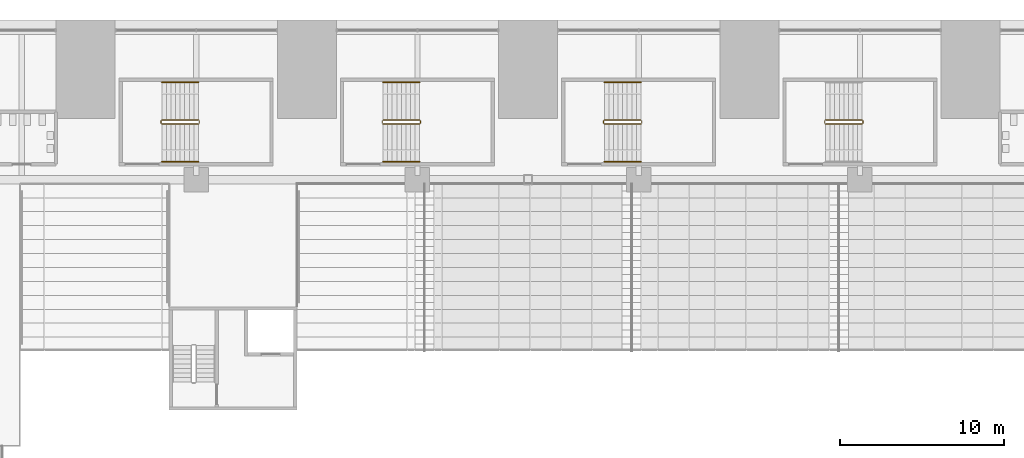
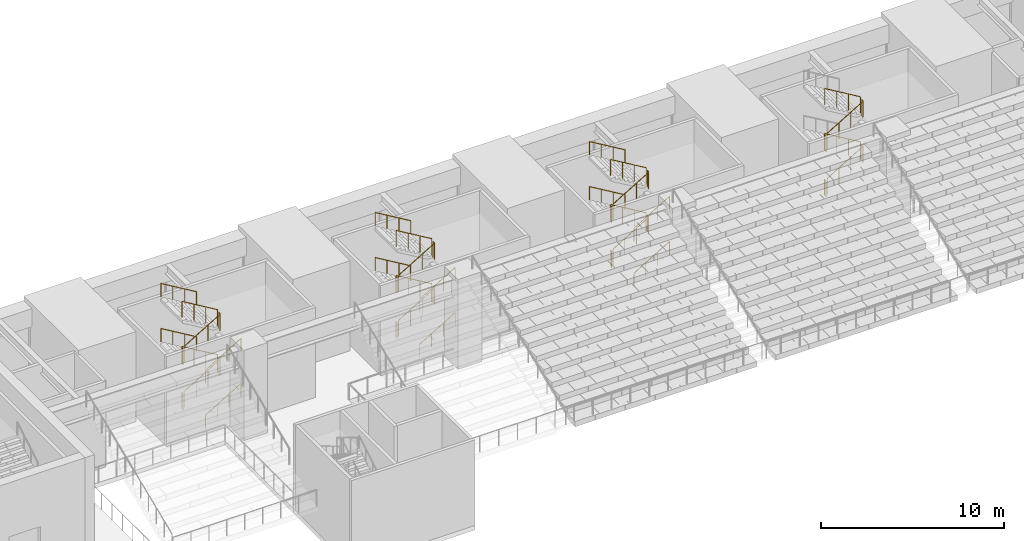
# One storey, part 59 of 61: 7 railings.
"""IFC4 building model written with IfcOpenShell, lengths in metres."""

import ifcopenshell
import ifcopenshell.guid

model = None  # the IFC model being written
_history = None  # IfcOwnerHistory: only IFC2X3 demands one
_inside = {}  # id of a spatial element -> (the spatial element, [elements in it])
_under = {}  # id of a project, library or spatial element -> (it, [spatial elements below it])
_declared = {}  # id of a project -> (the project, [libraries it declares])
_typed = {}  # id of a type object -> (the type object, [elements of that type])
_made_of = {}  # id of a material, layer set ... -> (it, [elements and type objects made of it])


def new_model(schema):
    """Start an empty IFC model of exactly this schema.

    Asked for "IFC4X3", IfcOpenShell would pick the latest addendum, in which some entities
    have other attributes; the version numbers below select the first issue.
    IFC2X3 requires an IfcOwnerHistory on every rooted entity: one is made here for all.
    """
    global model, _history
    if schema == "IFC4X3":
        model = ifcopenshell.file(schema_version=(4, 3, 0, 0))
    else:
        model = ifcopenshell.file(schema=schema)
    _inside.clear()
    _under.clear()
    _declared.clear()
    _typed.clear()
    _made_of.clear()
    _history = None
    if model.schema == "IFC2X3":
        org = make("IfcOrganization", Name="unknown")
        user = make(
            "IfcPersonAndOrganization",
            ThePerson=make("IfcPerson", FamilyName="unknown"),
            TheOrganization=org,
        )
        app = make(
            "IfcApplication",
            ApplicationDeveloper=org,
            Version="unknown",
            ApplicationFullName="unknown",
            ApplicationIdentifier="unknown",
        )
        _history = make(
            "IfcOwnerHistory",
            OwningUser=user,
            OwningApplication=app,
            ChangeAction="ADDED",
            CreationDate=0,
        )
    return model


def make(cls, **values):
    """One entity of the class cls with the attributes given. An attribute that is None is left unset."""
    return model.create_entity(
        cls, **{name: value for name, value in values.items() if value is not None}
    )


def rooted(cls, **values):
    """An entity with a GlobalId (a new one), such as an element, a storey or a relation."""
    return make(cls, GlobalId=ifcopenshell.guid.new(), OwnerHistory=_history, **values)


def si_unit(unit_type, name, prefix=None):
    """IfcSIUnit, for example si_unit("LENGTHUNIT", "METRE", prefix="MILLI")."""
    return make("IfcSIUnit", UnitType=unit_type, Prefix=prefix, Name=name)


def assignment(units):
    """IfcUnitAssignment: the units of a project."""
    return None if units is None else make("IfcUnitAssignment", Units=units)


def point(xyz):
    """IfcCartesianPoint."""
    return None if xyz is None else make("IfcCartesianPoint", Coordinates=xyz)


def direction(xyz):
    """IfcDirection."""
    return None if xyz is None else make("IfcDirection", DirectionRatios=xyz)


def frame(location, z_axis=None, x_axis=None):
    """IfcAxis2Placement3D, a coordinate frame: its origin and axes. An axis left out is left unset."""
    return make(
        "IfcAxis2Placement3D",
        Location=point(location),
        Axis=direction(z_axis),
        RefDirection=direction(x_axis),
    )


def frame_2d(location, x_axis=None):
    """IfcAxis2Placement2D, a coordinate frame in the plane: its origin and x axis."""
    return make(
        "IfcAxis2Placement2D", Location=point(location), RefDirection=direction(x_axis)
    )


def origin():
    """The frame at (0, 0, 0) with its axes left unset."""
    return frame((0.0, 0.0, 0.0))


def origin_2d():
    """The frame at (0, 0) in the plane with its x axis left unset."""
    return frame_2d((0.0, 0.0))


def place(relative_to, where):
    """IfcLocalPlacement: puts the frame where relative to a parent placement (None: the world)."""
    return make(
        "IfcLocalPlacement", PlacementRelTo=relative_to, RelativePlacement=where
    )


def context(
    kind, dimensions, precision=None, world=None, true_north=None, identifier=None
):
    """IfcGeometricRepresentationContext, for example the 3D "Model" context."""
    return make(
        "IfcGeometricRepresentationContext",
        ContextIdentifier=identifier,
        ContextType=kind,
        CoordinateSpaceDimension=dimensions,
        Precision=precision,
        WorldCoordinateSystem=world,
        TrueNorth=true_north,
    )


def subcontext(parent, identifier, kind, view, scale=None):
    """IfcGeometricRepresentationSubContext, for example "Body" below "Model"."""
    return make(
        "IfcGeometricRepresentationSubContext",
        ContextIdentifier=identifier,
        ContextType=kind,
        ParentContext=parent,
        TargetScale=scale,
        TargetView=view,
    )


def project(units=None, contexts=None):
    """IfcProject with its units and contexts."""
    return rooted(
        "IfcProject",
        Name="project",
        RepresentationContexts=contexts,
        UnitsInContext=assignment(units),
    )


def spatial(cls, under=None, at=None, **own):
    """A site, building, storey or space (cls), placed at a placement, below another one or the project."""
    s = rooted(cls, ObjectPlacement=at, **own)
    if under is not None:
        _under.setdefault(under.id(), (under, []))[1].append(s)
    return s


def profile(cls, at=None, kind="AREA", **sizes):
    """A parametric profile (cls). Its sizes go by their IFC names, for example OverallWidth=200.0."""
    return make(cls, ProfileType=kind, Position=at, **sizes)


def circle(**sizes):
    """IfcCircleProfileDef."""
    return profile("IfcCircleProfileDef", **sizes)


def extrude(swept, where, along, depth):
    """IfcExtrudedAreaSolid: the profile swept, set in the frame where, extruded along a direction by depth."""
    return make(
        "IfcExtrudedAreaSolid",
        SweptArea=swept,
        Position=where,
        ExtrudedDirection=direction(along),
        Depth=depth,
    )


def shape(context_of_items, identifier, shape_type, items):
    """IfcShapeRepresentation: the items that make up one representation, for example the "Body"."""
    return make(
        "IfcShapeRepresentation",
        ContextOfItems=context_of_items,
        RepresentationIdentifier=identifier,
        RepresentationType=shape_type,
        Items=items,
    )


def material(Name=None, Category=None):
    """IfcMaterial."""
    return make("IfcMaterial", Name=Name, Category=Category)


def made_of(thing, what):
    """Note that an element or type object is made of a material, layer set ...; save() writes the relation."""
    if what is not None:
        _made_of.setdefault(what.id(), (what, []))[1].append(thing)
    return thing


def type_object(cls, material=None, **own):
    """A type object (cls), such as IfcWallType, which elements share."""
    return made_of(rooted(cls, **own), material)


def element(
    cls,
    number,
    at=None,
    inside=None,
    cuts=None,
    type_object=None,
    material=None,
    context=None,
    identifier="Body",
    shape_type=None,
    held_by="IfcProductDefinitionShape",
    body=None,
    shapes=None,
    **own,
):
    """One element of the class cls, such as IfcWall. Its Tag is "e" and its number.

    at: its placement. inside: the storey or other place that contains it. cuts: it is an
    opening in that element (IfcRelVoidsElement). A single representation is given by context,
    identifier, shape_type and body (its items); several are given by shapes. held_by: the class
    of the entity that holds the representations. save() writes the other relations.
    """
    e = rooted(cls, Tag="e%d" % number, ObjectPlacement=at, **own)
    if body is not None:
        shapes = [shape(context, identifier, shape_type, body)]
    if shapes is not None:
        e.Representation = make(held_by, Representations=shapes)
    if inside is not None:
        _inside.setdefault(inside.id(), (inside, []))[1].append(e)
    if cuts is not None:
        rooted(
            "IfcRelVoidsElement", RelatingBuildingElement=cuts, RelatedOpeningElement=e
        )
    if type_object is not None:
        _typed.setdefault(type_object.id(), (type_object, []))[1].append(e)
    return made_of(e, material)


def aggregate(whole, parts):
    """IfcRelAggregates: a whole, such as a stair, and the parts it consists of."""
    return rooted("IfcRelAggregates", RelatingObject=whole, RelatedObjects=parts)


def save(model, path):
    """Write the relations noted so far, then the file.

    IfcRelAggregates (storeys below a building ...), IfcRelContainedInSpatialStructure (elements
    in a storey), IfcRelDefinesByType, IfcRelAssociatesMaterial and IfcRelDeclares: one each for
    every whole, place, type object, material and project.
    """
    for whole, parts in _under.values():
        aggregate(whole, parts)
    for where, things in _inside.values():
        rooted(
            "IfcRelContainedInSpatialStructure",
            RelatedElements=things,
            RelatingStructure=where,
        )
    for kind, things in _typed.values():
        rooted("IfcRelDefinesByType", RelatedObjects=things, RelatingType=kind)
    for what, things in _made_of.values():
        rooted("IfcRelAssociatesMaterial", RelatedObjects=things, RelatingMaterial=what)
    for by, libraries in _declared.values():
        rooted("IfcRelDeclares", RelatingContext=by, RelatedDefinitions=libraries)
    model.write(path)


model = new_model("IFC4")

# Units and contexts
model_context = context("Model", 3, precision=1e-05, world=origin(), true_north=direction((0.0, 1.0)))
body_context = subcontext(model_context, "Body", "Model", "MODEL_VIEW")
ifc_project = project(units=[si_unit("LENGTHUNIT", "METRE"), si_unit("AREAUNIT", "SQUARE_METRE"), si_unit("VOLUMEUNIT", "CUBIC_METRE"), si_unit("PLANEANGLEUNIT", "RADIAN"), si_unit("MASSUNIT", "GRAM", prefix="KILO")], contexts=[model_context])

# Site, building, storey
site_placement = place(None, origin())
site = spatial("IfcSite", under=ifc_project, at=site_placement, CompositionType="ELEMENT")
building_placement = place(site_placement, origin())
building = spatial("IfcBuilding", under=site, at=building_placement, Name="Corbelhall Arena Tower", CompositionType="ELEMENT")
storey_placement = place(building_placement, frame((0.0, 0.0, 31.0)))
storey = spatial("IfcBuildingStorey", under=building, at=storey_placement, Name="L04", CompositionType="ELEMENT", Elevation=31.0)

# Railings
ifc_material = material(Name="Stainless steel A4", Category="steel")
railing_type_1 = type_object("IfcRailingType", Name="AR-STAIR-GUARD", PredefinedType="GUARDRAIL", material=ifc_material)
railing_1_placement = place(storey_placement, frame((-22.35009765625, 32.64990234375, 0.166748046875)))
element("IfcRailing", 1, at=railing_1_placement, inside=storey, type_object=railing_type_1, Name="L04 AS9 stair guards", PredefinedType="GUARDRAIL", context=body_context, shape_type="SweptSolid", body=[
    extrude(circle(Radius=0.02392578125, at=origin_2d()), frame((0.0, 0.0, 1.076171875), z_axis=(0.859305625298, 0.0, 0.511462454469), x_axis=(0.0, 1.0, 0.0)), (0.0, 0.0, 1.0), 2.606689453125),
    extrude(circle(Radius=0.02392578125, at=origin_2d()), frame((2.2900390625, 0.050048828125, 2.4091796875), z_axis=(0.0, 1.0, 0.0), x_axis=(-1.0, 0.0, 0.0)), (0.0, 0.0, 1.0), 0.150146484375),
    extrude(circle(Radius=0.02392578125, at=origin_2d()), frame((2.239990234375, 0.25, 2.576171875), z_axis=(-0.859305625298, 0.0, 0.511462454469), x_axis=(0.0, -1.0, 0.0)), (0.0, 0.0, 1.0), 2.606689453125),
    extrude(circle(Radius=0.02392578125, at=origin_2d()), frame((-0.0498046875, 0.050048828125, 3.9091796875), z_axis=(0.0, 1.0, 0.0), x_axis=(-1.0, 0.0, 0.0)), (0.0, 0.0, 1.0), 0.150146484375),
    extrude(circle(Radius=0.02392578125, at=origin_2d()), frame((0.0, 0.0, 4.076171875), z_axis=(0.859305625298, 0.0, 0.511462454469), x_axis=(0.0, 1.0, 0.0)), (0.0, 0.0, 1.0), 2.606689453125),
    extrude(circle(Radius=0.02392578125, at=origin_2d()), frame((2.2900390625, 0.050048828125, 5.4091796875), z_axis=(0.0, 1.0, 0.0), x_axis=(-1.0, 0.0, 0.0)), (0.0, 0.0, 1.0), 0.150146484375),
    extrude(circle(Radius=0.02392578125, at=origin_2d()), frame((2.239990234375, 0.25, 5.576171875), z_axis=(-0.859305625298, 0.0, 0.511462454469), x_axis=(0.0, -1.0, 0.0)), (0.0, 0.0, 1.0), 2.606689453125),
    extrude(circle(Radius=0.02392578125, at=origin_2d()), frame((-0.0498046875, 0.050048828125, 0.9091796875), z_axis=(0.0, 1.0, 0.0), x_axis=(-1.0, 0.0, 0.0)), (0.0, 0.0, 1.0), 0.150146484375),
    extrude(circle(Radius=0.02099609375, at=origin_2d()), origin(), (0.0, 0.0, 1.0), 1.052001953125),
    extrude(circle(Radius=0.02099609375, at=origin_2d()), frame((0.74658203125, 0.0, 0.4443359375)), (0.0, 0.0, 1.0), 1.052001953125),
    extrude(circle(Radius=0.02099609375, at=origin_2d()), frame((1.493408203125, 0.0, 0.888916015625)), (0.0, 0.0, 1.0), 1.052001953125),
    extrude(circle(Radius=0.02099609375, at=origin_2d()), frame((2.239990234375, 0.0, 1.333251953125)), (0.0, 0.0, 1.0), 1.052001953125),
    extrude(circle(Radius=0.02099609375, at=origin_2d()), frame((2.2900390625, 0.050048828125, 1.333251953125)), (0.0, 0.0, 1.0), 1.052001953125),
    extrude(circle(Radius=0.02099609375, at=origin_2d()), frame((2.2900390625, 0.2001953125, 1.333251953125)), (0.0, 0.0, 1.0), 1.052001953125),
    extrude(circle(Radius=0.02099609375, at=origin_2d()), frame((2.239990234375, 0.25, 1.5)), (0.0, 0.0, 1.0), 1.052001953125),
    extrude(circle(Radius=0.02099609375, at=origin_2d()), frame((1.493408203125, 0.25, 1.9443359375)), (0.0, 0.0, 1.0), 1.052001953125),
    extrude(circle(Radius=0.02099609375, at=origin_2d()), frame((0.74658203125, 0.25, 2.388916015625)), (0.0, 0.0, 1.0), 1.052001953125),
    extrude(circle(Radius=0.02099609375, at=origin_2d()), frame((0.0, 0.25, 2.833251953125)), (0.0, 0.0, 1.0), 1.052001953125),
    extrude(circle(Radius=0.02099609375, at=origin_2d()), frame((-0.0498046875, 0.050048828125, 2.833251953125)), (0.0, 0.0, 1.0), 1.052001953125),
    extrude(circle(Radius=0.02099609375, at=origin_2d()), frame((-0.0498046875, 0.2001953125, 2.833251953125)), (0.0, 0.0, 1.0), 1.052001953125),
    extrude(circle(Radius=0.02099609375, at=origin_2d()), frame((0.0, 0.0, 3.0)), (0.0, 0.0, 1.0), 1.052001953125),
    extrude(circle(Radius=0.02099609375, at=origin_2d()), frame((0.74658203125, 0.0, 3.4443359375)), (0.0, 0.0, 1.0), 1.052001953125),
    extrude(circle(Radius=0.02099609375, at=origin_2d()), frame((1.493408203125, 0.0, 3.888916015625)), (0.0, 0.0, 1.0), 1.052001953125),
    extrude(circle(Radius=0.02099609375, at=origin_2d()), frame((2.239990234375, 0.0, 4.333251953125)), (0.0, 0.0, 1.0), 1.052001953125),
    extrude(circle(Radius=0.02099609375, at=origin_2d()), frame((2.2900390625, 0.050048828125, 4.333251953125)), (0.0, 0.0, 1.0), 1.052001953125),
    extrude(circle(Radius=0.02099609375, at=origin_2d()), frame((2.2900390625, 0.2001953125, 4.333251953125)), (0.0, 0.0, 1.0), 1.052001953125),
    extrude(circle(Radius=0.02099609375, at=origin_2d()), frame((2.239990234375, 0.25, 4.5)), (0.0, 0.0, 1.0), 1.052001953125),
    extrude(circle(Radius=0.02099609375, at=origin_2d()), frame((1.493408203125, 0.25, 4.9443359375)), (0.0, 0.0, 1.0), 1.052001953125),
    extrude(circle(Radius=0.02099609375, at=origin_2d()), frame((0.74658203125, 0.25, 5.388916015625)), (0.0, 0.0, 1.0), 1.052001953125),
    extrude(circle(Radius=0.02099609375, at=origin_2d()), frame((0.0, 0.25, 5.833251953125)), (0.0, 0.0, 1.0), 1.052001953125),
    extrude(circle(Radius=0.02099609375, at=origin_2d()), frame((-0.0498046875, 0.050048828125, -0.166748046875)), (0.0, 0.0, 1.0), 1.052001953125),
    extrude(circle(Radius=0.02099609375, at=origin_2d()), frame((-0.0498046875, 0.2001953125, -0.166748046875)), (0.0, 0.0, 1.0), 1.052001953125),
])
railing_2_placement = place(storey_placement, frame((-8.85009765625, 32.64990234375, 0.166748046875)))
element("IfcRailing", 2, at=railing_2_placement, inside=storey, type_object=railing_type_1, Name="L04 AS10 stair guards", PredefinedType="GUARDRAIL", context=body_context, shape_type="SweptSolid", body=[
    extrude(circle(Radius=0.02392578125, at=origin_2d()), frame((0.0, 0.0, 1.076171875), z_axis=(0.859305625298, 0.0, 0.511462454469), x_axis=(0.0, 1.0, 0.0)), (0.0, 0.0, 1.0), 2.606689453125),
    extrude(circle(Radius=0.02392578125, at=origin_2d()), frame((2.2900390625, 0.050048828125, 2.4091796875), z_axis=(0.0, 1.0, 0.0), x_axis=(-1.0, 0.0, 0.0)), (0.0, 0.0, 1.0), 0.150146484375),
    extrude(circle(Radius=0.02392578125, at=origin_2d()), frame((2.239990234375, 0.25, 2.576171875), z_axis=(-0.859305625298, 0.0, 0.511462454469), x_axis=(0.0, -1.0, 0.0)), (0.0, 0.0, 1.0), 2.606689453125),
    extrude(circle(Radius=0.02392578125, at=origin_2d()), frame((-0.0498046875, 0.050048828125, 3.9091796875), z_axis=(0.0, 1.0, 0.0), x_axis=(-1.0, 0.0, 0.0)), (0.0, 0.0, 1.0), 0.150146484375),
    extrude(circle(Radius=0.02392578125, at=origin_2d()), frame((0.0, 0.0, 4.076171875), z_axis=(0.859305625298, 0.0, 0.511462454469), x_axis=(0.0, 1.0, 0.0)), (0.0, 0.0, 1.0), 2.606689453125),
    extrude(circle(Radius=0.02392578125, at=origin_2d()), frame((2.2900390625, 0.050048828125, 5.4091796875), z_axis=(0.0, 1.0, 0.0), x_axis=(-1.0, 0.0, 0.0)), (0.0, 0.0, 1.0), 0.150146484375),
    extrude(circle(Radius=0.02392578125, at=origin_2d()), frame((2.239990234375, 0.25, 5.576171875), z_axis=(-0.859305625298, 0.0, 0.511462454469), x_axis=(0.0, -1.0, 0.0)), (0.0, 0.0, 1.0), 2.606689453125),
    extrude(circle(Radius=0.02392578125, at=origin_2d()), frame((-0.0498046875, 0.050048828125, 0.9091796875), z_axis=(0.0, 1.0, 0.0), x_axis=(-1.0, 0.0, 0.0)), (0.0, 0.0, 1.0), 0.150146484375),
    extrude(circle(Radius=0.02099609375, at=origin_2d()), origin(), (0.0, 0.0, 1.0), 1.052001953125),
    extrude(circle(Radius=0.02099609375, at=origin_2d()), frame((0.74658203125, 0.0, 0.4443359375)), (0.0, 0.0, 1.0), 1.052001953125),
    extrude(circle(Radius=0.02099609375, at=origin_2d()), frame((1.493408203125, 0.0, 0.888916015625)), (0.0, 0.0, 1.0), 1.052001953125),
    extrude(circle(Radius=0.02099609375, at=origin_2d()), frame((2.239990234375, 0.0, 1.333251953125)), (0.0, 0.0, 1.0), 1.052001953125),
    extrude(circle(Radius=0.02099609375, at=origin_2d()), frame((2.2900390625, 0.050048828125, 1.333251953125)), (0.0, 0.0, 1.0), 1.052001953125),
    extrude(circle(Radius=0.02099609375, at=origin_2d()), frame((2.2900390625, 0.2001953125, 1.333251953125)), (0.0, 0.0, 1.0), 1.052001953125),
    extrude(circle(Radius=0.02099609375, at=origin_2d()), frame((2.239990234375, 0.25, 1.5)), (0.0, 0.0, 1.0), 1.052001953125),
    extrude(circle(Radius=0.02099609375, at=origin_2d()), frame((1.493408203125, 0.25, 1.9443359375)), (0.0, 0.0, 1.0), 1.052001953125),
    extrude(circle(Radius=0.02099609375, at=origin_2d()), frame((0.74658203125, 0.25, 2.388916015625)), (0.0, 0.0, 1.0), 1.052001953125),
    extrude(circle(Radius=0.02099609375, at=origin_2d()), frame((0.0, 0.25, 2.833251953125)), (0.0, 0.0, 1.0), 1.052001953125),
    extrude(circle(Radius=0.02099609375, at=origin_2d()), frame((-0.0498046875, 0.050048828125, 2.833251953125)), (0.0, 0.0, 1.0), 1.052001953125),
    extrude(circle(Radius=0.02099609375, at=origin_2d()), frame((-0.0498046875, 0.2001953125, 2.833251953125)), (0.0, 0.0, 1.0), 1.052001953125),
    extrude(circle(Radius=0.02099609375, at=origin_2d()), frame((0.0, 0.0, 3.0)), (0.0, 0.0, 1.0), 1.052001953125),
    extrude(circle(Radius=0.02099609375, at=origin_2d()), frame((0.74658203125, 0.0, 3.4443359375)), (0.0, 0.0, 1.0), 1.052001953125),
    extrude(circle(Radius=0.02099609375, at=origin_2d()), frame((1.493408203125, 0.0, 3.888916015625)), (0.0, 0.0, 1.0), 1.052001953125),
    extrude(circle(Radius=0.02099609375, at=origin_2d()), frame((2.239990234375, 0.0, 4.333251953125)), (0.0, 0.0, 1.0), 1.052001953125),
    extrude(circle(Radius=0.02099609375, at=origin_2d()), frame((2.2900390625, 0.050048828125, 4.333251953125)), (0.0, 0.0, 1.0), 1.052001953125),
    extrude(circle(Radius=0.02099609375, at=origin_2d()), frame((2.2900390625, 0.2001953125, 4.333251953125)), (0.0, 0.0, 1.0), 1.052001953125),
    extrude(circle(Radius=0.02099609375, at=origin_2d()), frame((2.239990234375, 0.25, 4.5)), (0.0, 0.0, 1.0), 1.052001953125),
    extrude(circle(Radius=0.02099609375, at=origin_2d()), frame((1.493408203125, 0.25, 4.9443359375)), (0.0, 0.0, 1.0), 1.052001953125),
    extrude(circle(Radius=0.02099609375, at=origin_2d()), frame((0.74658203125, 0.25, 5.388916015625)), (0.0, 0.0, 1.0), 1.052001953125),
    extrude(circle(Radius=0.02099609375, at=origin_2d()), frame((0.0, 0.25, 5.833251953125)), (0.0, 0.0, 1.0), 1.052001953125),
    extrude(circle(Radius=0.02099609375, at=origin_2d()), frame((-0.0498046875, 0.050048828125, -0.166748046875)), (0.0, 0.0, 1.0), 1.052001953125),
    extrude(circle(Radius=0.02099609375, at=origin_2d()), frame((-0.0498046875, 0.2001953125, -0.166748046875)), (0.0, 0.0, 1.0), 1.052001953125),
])
railing_3_placement = place(storey_placement, frame((4.64990234375, 32.64990234375, 0.166748046875)))
element("IfcRailing", 3, at=railing_3_placement, inside=storey, type_object=railing_type_1, Name="L04 AS11 stair guards", PredefinedType="GUARDRAIL", context=body_context, shape_type="SweptSolid", body=[
    extrude(circle(Radius=0.02392578125, at=origin_2d()), frame((0.0, 0.0, 1.076171875), z_axis=(0.859305625298, 0.0, 0.511462454469), x_axis=(0.0, 1.0, 0.0)), (0.0, 0.0, 1.0), 2.606689453125),
    extrude(circle(Radius=0.02392578125, at=origin_2d()), frame((2.2900390625, 0.050048828125, 2.4091796875), z_axis=(0.0, 1.0, 0.0), x_axis=(-1.0, 0.0, 0.0)), (0.0, 0.0, 1.0), 0.150146484375),
    extrude(circle(Radius=0.02392578125, at=origin_2d()), frame((2.239990234375, 0.25, 2.576171875), z_axis=(-0.859305625298, 0.0, 0.511462454469), x_axis=(0.0, -1.0, 0.0)), (0.0, 0.0, 1.0), 2.606689453125),
    extrude(circle(Radius=0.02392578125, at=origin_2d()), frame((-0.0498046875, 0.050048828125, 3.9091796875), z_axis=(0.0, 1.0, 0.0), x_axis=(-1.0, 0.0, 0.0)), (0.0, 0.0, 1.0), 0.150146484375),
    extrude(circle(Radius=0.02392578125, at=origin_2d()), frame((0.0, 0.0, 4.076171875), z_axis=(0.859305625298, 0.0, 0.511462454469), x_axis=(0.0, 1.0, 0.0)), (0.0, 0.0, 1.0), 2.606689453125),
    extrude(circle(Radius=0.02392578125, at=origin_2d()), frame((2.2900390625, 0.050048828125, 5.4091796875), z_axis=(0.0, 1.0, 0.0), x_axis=(-1.0, 0.0, 0.0)), (0.0, 0.0, 1.0), 0.150146484375),
    extrude(circle(Radius=0.02392578125, at=origin_2d()), frame((2.239990234375, 0.25, 5.576171875), z_axis=(-0.859305625298, 0.0, 0.511462454469), x_axis=(0.0, -1.0, 0.0)), (0.0, 0.0, 1.0), 2.606689453125),
    extrude(circle(Radius=0.02392578125, at=origin_2d()), frame((-0.0498046875, 0.050048828125, 0.9091796875), z_axis=(0.0, 1.0, 0.0), x_axis=(-1.0, 0.0, 0.0)), (0.0, 0.0, 1.0), 0.150146484375),
    extrude(circle(Radius=0.02099609375, at=origin_2d()), origin(), (0.0, 0.0, 1.0), 1.052001953125),
    extrude(circle(Radius=0.02099609375, at=origin_2d()), frame((0.74658203125, 0.0, 0.4443359375)), (0.0, 0.0, 1.0), 1.052001953125),
    extrude(circle(Radius=0.02099609375, at=origin_2d()), frame((1.493408203125, 0.0, 0.888916015625)), (0.0, 0.0, 1.0), 1.052001953125),
    extrude(circle(Radius=0.02099609375, at=origin_2d()), frame((2.239990234375, 0.0, 1.333251953125)), (0.0, 0.0, 1.0), 1.052001953125),
    extrude(circle(Radius=0.02099609375, at=origin_2d()), frame((2.2900390625, 0.050048828125, 1.333251953125)), (0.0, 0.0, 1.0), 1.052001953125),
    extrude(circle(Radius=0.02099609375, at=origin_2d()), frame((2.2900390625, 0.2001953125, 1.333251953125)), (0.0, 0.0, 1.0), 1.052001953125),
    extrude(circle(Radius=0.02099609375, at=origin_2d()), frame((2.239990234375, 0.25, 1.5)), (0.0, 0.0, 1.0), 1.052001953125),
    extrude(circle(Radius=0.02099609375, at=origin_2d()), frame((1.493408203125, 0.25, 1.9443359375)), (0.0, 0.0, 1.0), 1.052001953125),
    extrude(circle(Radius=0.02099609375, at=origin_2d()), frame((0.74658203125, 0.25, 2.388916015625)), (0.0, 0.0, 1.0), 1.052001953125),
    extrude(circle(Radius=0.02099609375, at=origin_2d()), frame((0.0, 0.25, 2.833251953125)), (0.0, 0.0, 1.0), 1.052001953125),
    extrude(circle(Radius=0.02099609375, at=origin_2d()), frame((-0.0498046875, 0.050048828125, 2.833251953125)), (0.0, 0.0, 1.0), 1.052001953125),
    extrude(circle(Radius=0.02099609375, at=origin_2d()), frame((-0.0498046875, 0.2001953125, 2.833251953125)), (0.0, 0.0, 1.0), 1.052001953125),
    extrude(circle(Radius=0.02099609375, at=origin_2d()), frame((0.0, 0.0, 3.0)), (0.0, 0.0, 1.0), 1.052001953125),
    extrude(circle(Radius=0.02099609375, at=origin_2d()), frame((0.74658203125, 0.0, 3.4443359375)), (0.0, 0.0, 1.0), 1.052001953125),
    extrude(circle(Radius=0.02099609375, at=origin_2d()), frame((1.493408203125, 0.0, 3.888916015625)), (0.0, 0.0, 1.0), 1.052001953125),
    extrude(circle(Radius=0.02099609375, at=origin_2d()), frame((2.239990234375, 0.0, 4.333251953125)), (0.0, 0.0, 1.0), 1.052001953125),
    extrude(circle(Radius=0.02099609375, at=origin_2d()), frame((2.2900390625, 0.050048828125, 4.333251953125)), (0.0, 0.0, 1.0), 1.052001953125),
    extrude(circle(Radius=0.02099609375, at=origin_2d()), frame((2.2900390625, 0.2001953125, 4.333251953125)), (0.0, 0.0, 1.0), 1.052001953125),
    extrude(circle(Radius=0.02099609375, at=origin_2d()), frame((2.239990234375, 0.25, 4.5)), (0.0, 0.0, 1.0), 1.052001953125),
    extrude(circle(Radius=0.02099609375, at=origin_2d()), frame((1.493408203125, 0.25, 4.9443359375)), (0.0, 0.0, 1.0), 1.052001953125),
    extrude(circle(Radius=0.02099609375, at=origin_2d()), frame((0.74658203125, 0.25, 5.388916015625)), (0.0, 0.0, 1.0), 1.052001953125),
    extrude(circle(Radius=0.02099609375, at=origin_2d()), frame((0.0, 0.25, 5.833251953125)), (0.0, 0.0, 1.0), 1.052001953125),
    extrude(circle(Radius=0.02099609375, at=origin_2d()), frame((-0.0498046875, 0.050048828125, -0.166748046875)), (0.0, 0.0, 1.0), 1.052001953125),
    extrude(circle(Radius=0.02099609375, at=origin_2d()), frame((-0.0498046875, 0.2001953125, -0.166748046875)), (0.0, 0.0, 1.0), 1.052001953125),
])
railing_4_placement = place(storey_placement, frame((18.14990234375, 32.64990234375, 0.166748046875)))
element("IfcRailing", 4, at=railing_4_placement, inside=storey, type_object=railing_type_1, Name="L04 AS12 stair guards", PredefinedType="GUARDRAIL", context=body_context, shape_type="SweptSolid", body=[
    extrude(circle(Radius=0.02392578125, at=origin_2d()), frame((0.0, 0.0, 1.076171875), z_axis=(0.859305625298, 0.0, 0.511462454469), x_axis=(0.0, 1.0, 0.0)), (0.0, 0.0, 1.0), 2.606689453125),
    extrude(circle(Radius=0.02392578125, at=origin_2d()), frame((2.2900390625, 0.050048828125, 2.4091796875), z_axis=(0.0, 1.0, 0.0), x_axis=(-1.0, 0.0, 0.0)), (0.0, 0.0, 1.0), 0.150146484375),
    extrude(circle(Radius=0.02392578125, at=origin_2d()), frame((2.239990234375, 0.25, 2.576171875), z_axis=(-0.859305625298, 0.0, 0.511462454469), x_axis=(0.0, -1.0, 0.0)), (0.0, 0.0, 1.0), 2.606689453125),
    extrude(circle(Radius=0.02392578125, at=origin_2d()), frame((-0.0498046875, 0.050048828125, 3.9091796875), z_axis=(0.0, 1.0, 0.0), x_axis=(-1.0, 0.0, 0.0)), (0.0, 0.0, 1.0), 0.150146484375),
    extrude(circle(Radius=0.02392578125, at=origin_2d()), frame((0.0, 0.0, 4.076171875), z_axis=(0.859305625298, 0.0, 0.511462454469), x_axis=(0.0, 1.0, 0.0)), (0.0, 0.0, 1.0), 2.606689453125),
    extrude(circle(Radius=0.02392578125, at=origin_2d()), frame((2.2900390625, 0.050048828125, 5.4091796875), z_axis=(0.0, 1.0, 0.0), x_axis=(-1.0, 0.0, 0.0)), (0.0, 0.0, 1.0), 0.150146484375),
    extrude(circle(Radius=0.02392578125, at=origin_2d()), frame((2.239990234375, 0.25, 5.576171875), z_axis=(-0.859305625298, 0.0, 0.511462454469), x_axis=(0.0, -1.0, 0.0)), (0.0, 0.0, 1.0), 2.606689453125),
    extrude(circle(Radius=0.02392578125, at=origin_2d()), frame((-0.0498046875, 0.050048828125, 0.9091796875), z_axis=(0.0, 1.0, 0.0), x_axis=(-1.0, 0.0, 0.0)), (0.0, 0.0, 1.0), 0.150146484375),
    extrude(circle(Radius=0.02099609375, at=origin_2d()), origin(), (0.0, 0.0, 1.0), 1.052001953125),
    extrude(circle(Radius=0.02099609375, at=origin_2d()), frame((0.74658203125, 0.0, 0.4443359375)), (0.0, 0.0, 1.0), 1.052001953125),
    extrude(circle(Radius=0.02099609375, at=origin_2d()), frame((1.493408203125, 0.0, 0.888916015625)), (0.0, 0.0, 1.0), 1.052001953125),
    extrude(circle(Radius=0.02099609375, at=origin_2d()), frame((2.239990234375, 0.0, 1.333251953125)), (0.0, 0.0, 1.0), 1.052001953125),
    extrude(circle(Radius=0.02099609375, at=origin_2d()), frame((2.2900390625, 0.050048828125, 1.333251953125)), (0.0, 0.0, 1.0), 1.052001953125),
    extrude(circle(Radius=0.02099609375, at=origin_2d()), frame((2.2900390625, 0.2001953125, 1.333251953125)), (0.0, 0.0, 1.0), 1.052001953125),
    extrude(circle(Radius=0.02099609375, at=origin_2d()), frame((2.239990234375, 0.25, 1.5)), (0.0, 0.0, 1.0), 1.052001953125),
    extrude(circle(Radius=0.02099609375, at=origin_2d()), frame((1.493408203125, 0.25, 1.9443359375)), (0.0, 0.0, 1.0), 1.052001953125),
    extrude(circle(Radius=0.02099609375, at=origin_2d()), frame((0.74658203125, 0.25, 2.388916015625)), (0.0, 0.0, 1.0), 1.052001953125),
    extrude(circle(Radius=0.02099609375, at=origin_2d()), frame((0.0, 0.25, 2.833251953125)), (0.0, 0.0, 1.0), 1.052001953125),
    extrude(circle(Radius=0.02099609375, at=origin_2d()), frame((-0.0498046875, 0.050048828125, 2.833251953125)), (0.0, 0.0, 1.0), 1.052001953125),
    extrude(circle(Radius=0.02099609375, at=origin_2d()), frame((-0.0498046875, 0.2001953125, 2.833251953125)), (0.0, 0.0, 1.0), 1.052001953125),
    extrude(circle(Radius=0.02099609375, at=origin_2d()), frame((0.0, 0.0, 3.0)), (0.0, 0.0, 1.0), 1.052001953125),
    extrude(circle(Radius=0.02099609375, at=origin_2d()), frame((0.74658203125, 0.0, 3.4443359375)), (0.0, 0.0, 1.0), 1.052001953125),
    extrude(circle(Radius=0.02099609375, at=origin_2d()), frame((1.493408203125, 0.0, 3.888916015625)), (0.0, 0.0, 1.0), 1.052001953125),
    extrude(circle(Radius=0.02099609375, at=origin_2d()), frame((2.239990234375, 0.0, 4.333251953125)), (0.0, 0.0, 1.0), 1.052001953125),
    extrude(circle(Radius=0.02099609375, at=origin_2d()), frame((2.2900390625, 0.050048828125, 4.333251953125)), (0.0, 0.0, 1.0), 1.052001953125),
    extrude(circle(Radius=0.02099609375, at=origin_2d()), frame((2.2900390625, 0.2001953125, 4.333251953125)), (0.0, 0.0, 1.0), 1.052001953125),
    extrude(circle(Radius=0.02099609375, at=origin_2d()), frame((2.239990234375, 0.25, 4.5)), (0.0, 0.0, 1.0), 1.052001953125),
    extrude(circle(Radius=0.02099609375, at=origin_2d()), frame((1.493408203125, 0.25, 4.9443359375)), (0.0, 0.0, 1.0), 1.052001953125),
    extrude(circle(Radius=0.02099609375, at=origin_2d()), frame((0.74658203125, 0.25, 5.388916015625)), (0.0, 0.0, 1.0), 1.052001953125),
    extrude(circle(Radius=0.02099609375, at=origin_2d()), frame((0.0, 0.25, 5.833251953125)), (0.0, 0.0, 1.0), 1.052001953125),
    extrude(circle(Radius=0.02099609375, at=origin_2d()), frame((-0.0498046875, 0.050048828125, -0.166748046875)), (0.0, 0.0, 1.0), 1.052001953125),
    extrude(circle(Radius=0.02099609375, at=origin_2d()), frame((-0.0498046875, 0.2001953125, -0.166748046875)), (0.0, 0.0, 1.0), 1.052001953125),
])
railing_type_2 = type_object("IfcRailingType", Name="AR-STAIR-HANDRAIL", PredefinedType="HANDRAIL", material=ifc_material)
railing_5_placement = place(storey_placement, frame((-22.35009765625, 30.35009765625, 0.166748046875)))
element("IfcRailing", 5, at=railing_5_placement, inside=storey, type_object=railing_type_2, Name="L04 AS9 stair handrails", PredefinedType="HANDRAIL", context=body_context, shape_type="SweptSolid", body=[
    extrude(circle(Radius=0.02392578125, at=origin_2d()), frame((0.0, 0.0, 0.8759765625), z_axis=(0.859305625298, 0.0, 0.511462454469), x_axis=(0.0, 1.0, 0.0)), (0.0, 0.0, 1.0), 2.606689453125),
    extrude(circle(Radius=0.02392578125, at=origin_2d()), frame((2.239990234375, 4.849853515625, 2.3759765625), z_axis=(-0.859305625298, 0.0, 0.511462454469), x_axis=(0.0, -1.0, 0.0)), (0.0, 0.0, 1.0), 2.606689453125),
    extrude(circle(Radius=0.02392578125, at=origin_2d()), frame((0.0, 0.0, 3.8759765625), z_axis=(0.859305625298, 0.0, 0.511462454469), x_axis=(0.0, 1.0, 0.0)), (0.0, 0.0, 1.0), 2.606689453125),
    extrude(circle(Radius=0.02392578125, at=origin_2d()), frame((2.239990234375, 4.849853515625, 5.3759765625), z_axis=(-0.859305625298, 0.0, 0.511462454469), x_axis=(0.0, -1.0, 0.0)), (0.0, 0.0, 1.0), 2.606689453125),
    extrude(circle(Radius=0.02099609375, at=origin_2d()), origin(), (0.0, 0.0, 1.0), 0.851806640625),
    extrude(circle(Radius=0.02099609375, at=origin_2d()), frame((0.74658203125, 0.0, 0.4443359375)), (0.0, 0.0, 1.0), 0.851806640625),
    extrude(circle(Radius=0.02099609375, at=origin_2d()), frame((1.493408203125, 0.0, 0.888916015625)), (0.0, 0.0, 1.0), 0.851806640625),
    extrude(circle(Radius=0.02099609375, at=origin_2d()), frame((2.239990234375, 0.0, 1.333251953125)), (0.0, 0.0, 1.0), 0.851806640625),
    extrude(circle(Radius=0.02099609375, at=origin_2d()), frame((2.239990234375, 4.849853515625, 1.5)), (0.0, 0.0, 1.0), 0.851806640625),
    extrude(circle(Radius=0.02099609375, at=origin_2d()), frame((1.493408203125, 4.849853515625, 1.9443359375)), (0.0, 0.0, 1.0), 0.851806640625),
    extrude(circle(Radius=0.02099609375, at=origin_2d()), frame((0.74658203125, 4.849853515625, 2.388916015625)), (0.0, 0.0, 1.0), 0.851806640625),
    extrude(circle(Radius=0.02099609375, at=origin_2d()), frame((0.0, 4.849853515625, 2.833251953125)), (0.0, 0.0, 1.0), 0.851806640625),
    extrude(circle(Radius=0.02099609375, at=origin_2d()), frame((0.0, 0.0, 3.0)), (0.0, 0.0, 1.0), 0.851806640625),
    extrude(circle(Radius=0.02099609375, at=origin_2d()), frame((0.74658203125, 0.0, 3.4443359375)), (0.0, 0.0, 1.0), 0.851806640625),
    extrude(circle(Radius=0.02099609375, at=origin_2d()), frame((1.493408203125, 0.0, 3.888916015625)), (0.0, 0.0, 1.0), 0.851806640625),
    extrude(circle(Radius=0.02099609375, at=origin_2d()), frame((2.239990234375, 0.0, 4.333251953125)), (0.0, 0.0, 1.0), 0.851806640625),
    extrude(circle(Radius=0.02099609375, at=origin_2d()), frame((2.239990234375, 4.849853515625, 4.5)), (0.0, 0.0, 1.0), 0.851806640625),
    extrude(circle(Radius=0.02099609375, at=origin_2d()), frame((1.493408203125, 4.849853515625, 4.9443359375)), (0.0, 0.0, 1.0), 0.851806640625),
    extrude(circle(Radius=0.02099609375, at=origin_2d()), frame((0.74658203125, 4.849853515625, 5.388916015625)), (0.0, 0.0, 1.0), 0.851806640625),
    extrude(circle(Radius=0.02099609375, at=origin_2d()), frame((0.0, 4.849853515625, 5.833251953125)), (0.0, 0.0, 1.0), 0.851806640625),
])
railing_6_placement = place(storey_placement, frame((-8.85009765625, 30.35009765625, 0.166748046875)))
element("IfcRailing", 6, at=railing_6_placement, inside=storey, type_object=railing_type_2, Name="L04 AS10 stair handrails", PredefinedType="HANDRAIL", context=body_context, shape_type="SweptSolid", body=[
    extrude(circle(Radius=0.02392578125, at=origin_2d()), frame((0.0, 0.0, 0.8759765625), z_axis=(0.859305625298, 0.0, 0.511462454469), x_axis=(0.0, 1.0, 0.0)), (0.0, 0.0, 1.0), 2.606689453125),
    extrude(circle(Radius=0.02392578125, at=origin_2d()), frame((2.239990234375, 4.849853515625, 2.3759765625), z_axis=(-0.859305625298, 0.0, 0.511462454469), x_axis=(0.0, -1.0, 0.0)), (0.0, 0.0, 1.0), 2.606689453125),
    extrude(circle(Radius=0.02392578125, at=origin_2d()), frame((0.0, 0.0, 3.8759765625), z_axis=(0.859305625298, 0.0, 0.511462454469), x_axis=(0.0, 1.0, 0.0)), (0.0, 0.0, 1.0), 2.606689453125),
    extrude(circle(Radius=0.02392578125, at=origin_2d()), frame((2.239990234375, 4.849853515625, 5.3759765625), z_axis=(-0.859305625298, 0.0, 0.511462454469), x_axis=(0.0, -1.0, 0.0)), (0.0, 0.0, 1.0), 2.606689453125),
    extrude(circle(Radius=0.02099609375, at=origin_2d()), origin(), (0.0, 0.0, 1.0), 0.851806640625),
    extrude(circle(Radius=0.02099609375, at=origin_2d()), frame((0.74658203125, 0.0, 0.4443359375)), (0.0, 0.0, 1.0), 0.851806640625),
    extrude(circle(Radius=0.02099609375, at=origin_2d()), frame((1.493408203125, 0.0, 0.888916015625)), (0.0, 0.0, 1.0), 0.851806640625),
    extrude(circle(Radius=0.02099609375, at=origin_2d()), frame((2.239990234375, 0.0, 1.333251953125)), (0.0, 0.0, 1.0), 0.851806640625),
    extrude(circle(Radius=0.02099609375, at=origin_2d()), frame((2.239990234375, 4.849853515625, 1.5)), (0.0, 0.0, 1.0), 0.851806640625),
    extrude(circle(Radius=0.02099609375, at=origin_2d()), frame((1.493408203125, 4.849853515625, 1.9443359375)), (0.0, 0.0, 1.0), 0.851806640625),
    extrude(circle(Radius=0.02099609375, at=origin_2d()), frame((0.74658203125, 4.849853515625, 2.388916015625)), (0.0, 0.0, 1.0), 0.851806640625),
    extrude(circle(Radius=0.02099609375, at=origin_2d()), frame((0.0, 4.849853515625, 2.833251953125)), (0.0, 0.0, 1.0), 0.851806640625),
    extrude(circle(Radius=0.02099609375, at=origin_2d()), frame((0.0, 0.0, 3.0)), (0.0, 0.0, 1.0), 0.851806640625),
    extrude(circle(Radius=0.02099609375, at=origin_2d()), frame((0.74658203125, 0.0, 3.4443359375)), (0.0, 0.0, 1.0), 0.851806640625),
    extrude(circle(Radius=0.02099609375, at=origin_2d()), frame((1.493408203125, 0.0, 3.888916015625)), (0.0, 0.0, 1.0), 0.851806640625),
    extrude(circle(Radius=0.02099609375, at=origin_2d()), frame((2.239990234375, 0.0, 4.333251953125)), (0.0, 0.0, 1.0), 0.851806640625),
    extrude(circle(Radius=0.02099609375, at=origin_2d()), frame((2.239990234375, 4.849853515625, 4.5)), (0.0, 0.0, 1.0), 0.851806640625),
    extrude(circle(Radius=0.02099609375, at=origin_2d()), frame((1.493408203125, 4.849853515625, 4.9443359375)), (0.0, 0.0, 1.0), 0.851806640625),
    extrude(circle(Radius=0.02099609375, at=origin_2d()), frame((0.74658203125, 4.849853515625, 5.388916015625)), (0.0, 0.0, 1.0), 0.851806640625),
    extrude(circle(Radius=0.02099609375, at=origin_2d()), frame((0.0, 4.849853515625, 5.833251953125)), (0.0, 0.0, 1.0), 0.851806640625),
])
railing_7_placement = place(storey_placement, frame((4.64990234375, 30.35009765625, 0.166748046875)))
element("IfcRailing", 7, at=railing_7_placement, inside=storey, type_object=railing_type_2, Name="L04 AS11 stair handrails", PredefinedType="HANDRAIL", context=body_context, shape_type="SweptSolid", body=[
    extrude(circle(Radius=0.02392578125, at=origin_2d()), frame((0.0, 0.0, 0.8759765625), z_axis=(0.859305625298, 0.0, 0.511462454469), x_axis=(0.0, 1.0, 0.0)), (0.0, 0.0, 1.0), 2.606689453125),
    extrude(circle(Radius=0.02392578125, at=origin_2d()), frame((2.239990234375, 4.849853515625, 2.3759765625), z_axis=(-0.859305625298, 0.0, 0.511462454469), x_axis=(0.0, -1.0, 0.0)), (0.0, 0.0, 1.0), 2.606689453125),
    extrude(circle(Radius=0.02392578125, at=origin_2d()), frame((0.0, 0.0, 3.8759765625), z_axis=(0.859305625298, 0.0, 0.511462454469), x_axis=(0.0, 1.0, 0.0)), (0.0, 0.0, 1.0), 2.606689453125),
    extrude(circle(Radius=0.02392578125, at=origin_2d()), frame((2.239990234375, 4.849853515625, 5.3759765625), z_axis=(-0.859305625298, 0.0, 0.511462454469), x_axis=(0.0, -1.0, 0.0)), (0.0, 0.0, 1.0), 2.606689453125),
    extrude(circle(Radius=0.02099609375, at=origin_2d()), origin(), (0.0, 0.0, 1.0), 0.851806640625),
    extrude(circle(Radius=0.02099609375, at=origin_2d()), frame((0.74658203125, 0.0, 0.4443359375)), (0.0, 0.0, 1.0), 0.851806640625),
    extrude(circle(Radius=0.02099609375, at=origin_2d()), frame((1.493408203125, 0.0, 0.888916015625)), (0.0, 0.0, 1.0), 0.851806640625),
    extrude(circle(Radius=0.02099609375, at=origin_2d()), frame((2.239990234375, 0.0, 1.333251953125)), (0.0, 0.0, 1.0), 0.851806640625),
    extrude(circle(Radius=0.02099609375, at=origin_2d()), frame((2.239990234375, 4.849853515625, 1.5)), (0.0, 0.0, 1.0), 0.851806640625),
    extrude(circle(Radius=0.02099609375, at=origin_2d()), frame((1.493408203125, 4.849853515625, 1.9443359375)), (0.0, 0.0, 1.0), 0.851806640625),
    extrude(circle(Radius=0.02099609375, at=origin_2d()), frame((0.74658203125, 4.849853515625, 2.388916015625)), (0.0, 0.0, 1.0), 0.851806640625),
    extrude(circle(Radius=0.02099609375, at=origin_2d()), frame((0.0, 4.849853515625, 2.833251953125)), (0.0, 0.0, 1.0), 0.851806640625),
    extrude(circle(Radius=0.02099609375, at=origin_2d()), frame((0.0, 0.0, 3.0)), (0.0, 0.0, 1.0), 0.851806640625),
    extrude(circle(Radius=0.02099609375, at=origin_2d()), frame((0.74658203125, 0.0, 3.4443359375)), (0.0, 0.0, 1.0), 0.851806640625),
    extrude(circle(Radius=0.02099609375, at=origin_2d()), frame((1.493408203125, 0.0, 3.888916015625)), (0.0, 0.0, 1.0), 0.851806640625),
    extrude(circle(Radius=0.02099609375, at=origin_2d()), frame((2.239990234375, 0.0, 4.333251953125)), (0.0, 0.0, 1.0), 0.851806640625),
    extrude(circle(Radius=0.02099609375, at=origin_2d()), frame((2.239990234375, 4.849853515625, 4.5)), (0.0, 0.0, 1.0), 0.851806640625),
    extrude(circle(Radius=0.02099609375, at=origin_2d()), frame((1.493408203125, 4.849853515625, 4.9443359375)), (0.0, 0.0, 1.0), 0.851806640625),
    extrude(circle(Radius=0.02099609375, at=origin_2d()), frame((0.74658203125, 4.849853515625, 5.388916015625)), (0.0, 0.0, 1.0), 0.851806640625),
    extrude(circle(Radius=0.02099609375, at=origin_2d()), frame((0.0, 4.849853515625, 5.833251953125)), (0.0, 0.0, 1.0), 0.851806640625),
])

save(model, "model.ifc")
